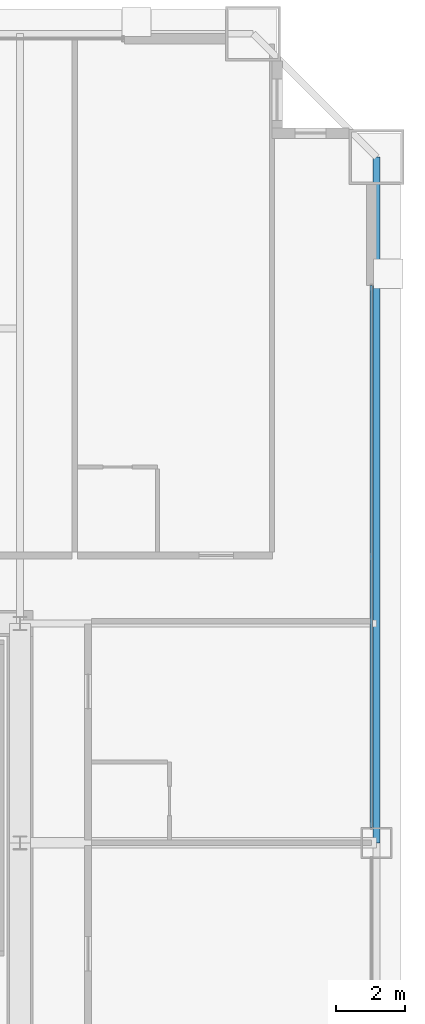
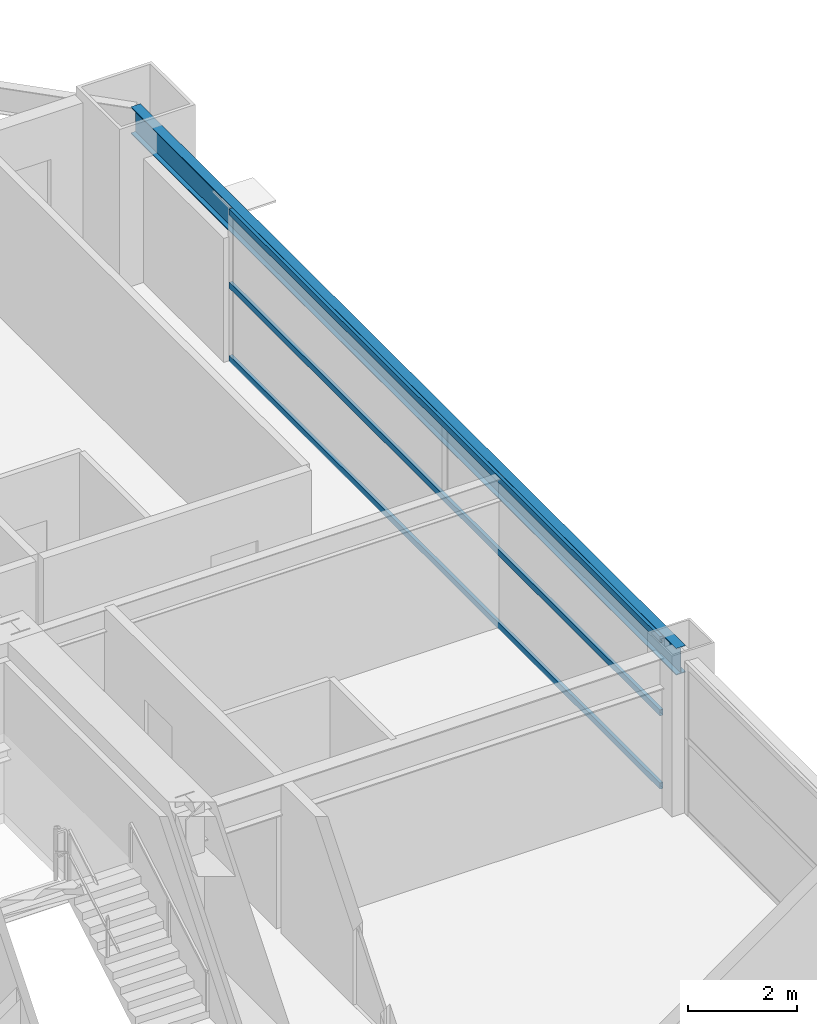
# One storey, part 30 of 39: 3 members, 1 beam, 1 element without a shape of its own.
"""IFC4 building model written with IfcOpenShell, lengths in metres."""

from ifc_helpers import new_model, si_unit, direction, frame, origin, origin_2d, place, context, subcontext, project, spatial, hollow_rectangle, i_section, extrude, source, transform, mapped, material, layer, layer_set, material_profile, profile_set, type_object, element, aggregate, save


model = new_model("IFC4")

# Units and contexts
model_context = context("Model", 3, precision=1e-05, world=origin(), true_north=direction((0.0, 1.0)))
body_context = subcontext(model_context, "Body", "Model", "MODEL_VIEW")
ifc_project = project(units=[si_unit("LENGTHUNIT", "METRE"), si_unit("AREAUNIT", "SQUARE_METRE"), si_unit("VOLUMEUNIT", "CUBIC_METRE"), si_unit("PLANEANGLEUNIT", "RADIAN"), si_unit("MASSUNIT", "GRAM", prefix="KILO"), si_unit("THERMODYNAMICTEMPERATUREUNIT", "KELVIN"), si_unit("POWERUNIT", "WATT")], contexts=[model_context])

# Site, building, storey
site_placement = place(None, origin())
site = spatial("IfcSite", under=ifc_project, at=site_placement, CompositionType="ELEMENT")
building_placement = place(site_placement, origin())
building = spatial("IfcBuilding", under=site, at=building_placement, Name="Yuzanri Waterfront Tower", CompositionType="ELEMENT")
storey_placement = place(building_placement, frame((0.0, 0.0, 148.800048828125)))
storey = spatial("IfcBuildingStorey", under=building, at=storey_placement, Name="L39", CompositionType="ELEMENT", Elevation=148.800048828125)

# Beam
ifc_material_1 = material(Name="Steel Q355B", Category="steel")
ifc_material_profile_1 = material_profile(ifc_material_1, i_section(OverallWidth=0.199951171875, OverallDepth=0.60009765625, WebThickness=0.010986328125, FlangeThickness=0.01708984375, at=origin_2d()), Name="HN 600x200x11x17")
ifc_profile_set_1 = profile_set([ifc_material_profile_1], Name="Steel Q355B")
beam_type = type_object("IfcBeamType", Name="Perimeter Spandrel Q355B HN 600x200", PredefinedType="SPANDREL", material=ifc_profile_set_1)
shared_shape_1 = source(origin(), body_context, "Body", "SweptSolid", [
    extrude(i_section(OverallWidth=0.199951171875, OverallDepth=0.60009765625, WebThickness=0.010986328125, FlangeThickness=0.01708984375, at=origin_2d()), origin(), (0.0, 0.0, 1.0), 20.0),
])
beam_placement = place(storey_placement, frame((60.60009765625, 25.800048828125, 3.079833984375), z_axis=(0.0, 1.0, 0.0), x_axis=(-1.0, 0.0, 0.0)))
element("IfcBeam", 1, at=beam_placement, inside=storey, type_object=beam_type, Name="L39 Perimeter Spandrel E2-E3", PredefinedType="SPANDREL", context=body_context, shape_type="MappedRepresentation", body=[
    mapped(shared_shape_1, transform((0.0, 0.0, 0.0), scale=1.0)),
])

# Curtain wall, members
ifc_material_2 = material(Name="Anodized Architectural Bronze", Category="metal")
ifc_layer = layer(ifc_material_2, 0.159912109375)
ifc_layer_set = layer_set([ifc_layer], Name="Anodized Architectural Bronze")
curtain_wall_type = type_object("IfcCurtainWallType", Name="Anodized Bronze Hotel Upper-Tier Solar-Control Unitized Curtain Wall 7800", PredefinedType="NOTDEFINED", material=ifc_layer_set)
curtain_wall_placement = place(storey_placement, origin())
curtain_wall = element("IfcCurtainWall", 2, at=curtain_wall_placement, inside=storey, type_object=curtain_wall_type, Name="L39 Curtain Wall CW-L39-ER", PredefinedType="NOTDEFINED")
ifc_material_3 = material(Name="Anodized Architectural Bronze", Category="metal")
ifc_material_profile_2 = material_profile(ifc_material_3, hollow_rectangle(XDim=0.070068359375, YDim=0.135009765625, WallThickness=0.00341796875, at=origin_2d()), Name="CWT 70x135")
ifc_profile_set_2 = profile_set([ifc_material_profile_2], Name="Anodized Architectural Bronze")
member_type = type_object("IfcMemberType", Name="Anodized Bronze Standard Curtain-Wall Transom 70x135", PredefinedType="USERDEFINED", material=ifc_profile_set_2)
shared_shape_2 = source(origin(), body_context, "Body", "SweptSolid", [
    extrude(hollow_rectangle(XDim=0.070068359375, YDim=0.135009765625, WallThickness=0.00341796875, at=origin_2d()), origin(), (0.0, 0.0, 1.0), 15.800048828125),
])
member_1_placement = place(storey_placement, frame((60.449951171875, 26.25, 0.050048828125), z_axis=(0.0, 1.0, 0.0), x_axis=(-1.0, 0.0, 0.0)))
member_1 = element("IfcMember", 3, at=member_1_placement, type_object=member_type, Name="CW-L39-ER Transom 1", ObjectType="TRANSOM", PredefinedType="USERDEFINED", context=body_context, shape_type="MappedRepresentation", body=[
    mapped(shared_shape_2, transform((0.0, 0.0, 0.0), scale=1.0)),
])
member_2_placement = place(storey_placement, frame((60.449951171875, 26.25, 1.68994140625), z_axis=(0.0, 1.0, 0.0), x_axis=(-1.0, 0.0, 0.0)))
member_2 = element("IfcMember", 4, at=member_2_placement, type_object=member_type, Name="CW-L39-ER Transom 2", ObjectType="TRANSOM", PredefinedType="USERDEFINED", context=body_context, shape_type="MappedRepresentation", body=[
    mapped(shared_shape_2, transform((0.0, 0.0, 0.0), scale=1.0)),
])
member_3_placement = place(storey_placement, frame((60.449951171875, 26.25, 3.329833984375), z_axis=(0.0, 1.0, 0.0), x_axis=(-1.0, 0.0, 0.0)))
member_3 = element("IfcMember", 5, at=member_3_placement, type_object=member_type, Name="CW-L39-ER Transom 3", ObjectType="TRANSOM", PredefinedType="USERDEFINED", context=body_context, shape_type="MappedRepresentation", body=[
    mapped(shared_shape_2, transform((0.0, 0.0, 0.0), scale=1.0)),
])
aggregate(curtain_wall, [member_1, member_2, member_3])

save(model, "model.ifc")
